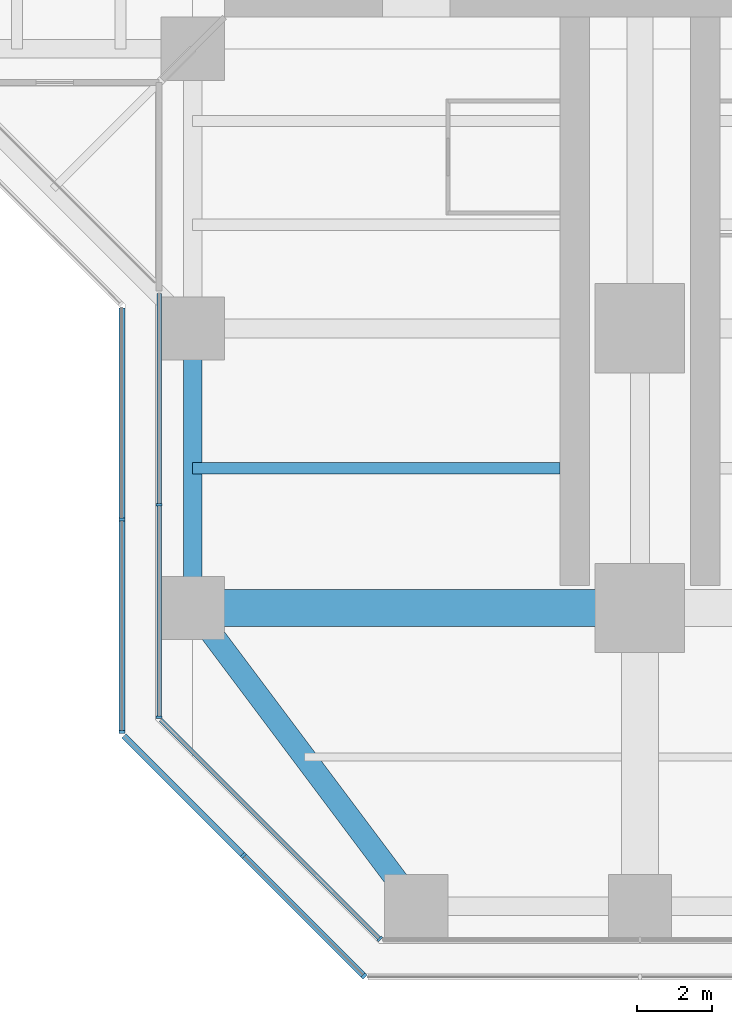
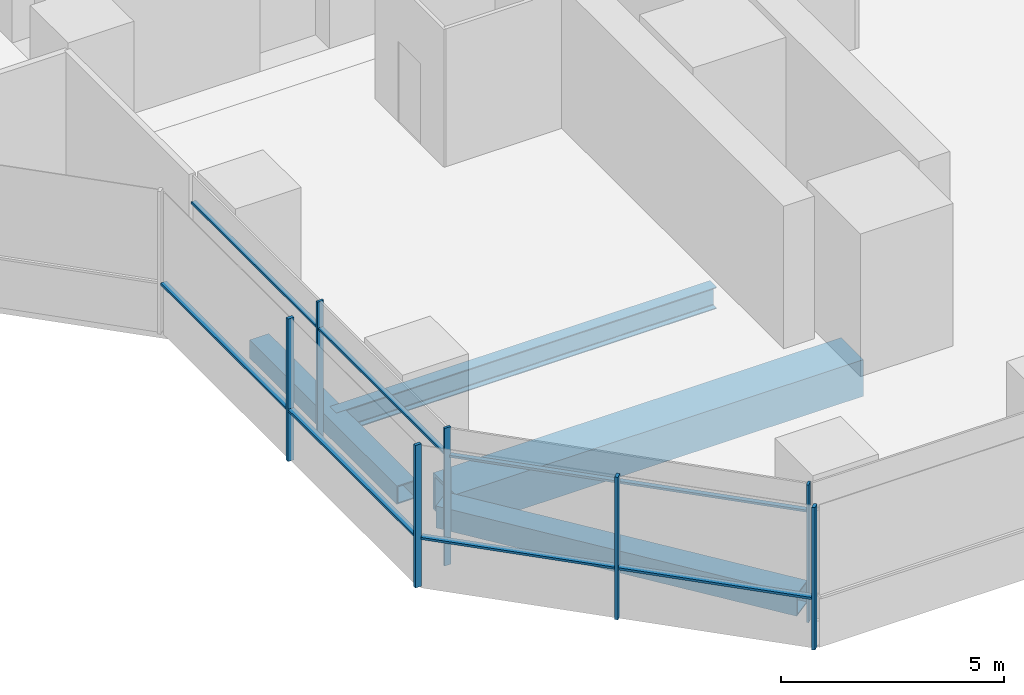
# One storey, part 2 of 22: 14 members, 4 beams, 4 elements without a shape of their own.
"""IFC4 building model written with IfcOpenShell, lengths in metres."""

import ifcopenshell
import ifcopenshell.guid

model = None  # the IFC model being written
_history = None  # IfcOwnerHistory: only IFC2X3 demands one
_inside = {}  # id of a spatial element -> (the spatial element, [elements in it])
_under = {}  # id of a project, library or spatial element -> (it, [spatial elements below it])
_declared = {}  # id of a project -> (the project, [libraries it declares])
_typed = {}  # id of a type object -> (the type object, [elements of that type])
_made_of = {}  # id of a material, layer set ... -> (it, [elements and type objects made of it])


def new_model(schema):
    """Start an empty IFC model of exactly this schema.

    Asked for "IFC4X3", IfcOpenShell would pick the latest addendum, in which some entities
    have other attributes; the version numbers below select the first issue.
    IFC2X3 requires an IfcOwnerHistory on every rooted entity: one is made here for all.
    """
    global model, _history
    if schema == "IFC4X3":
        model = ifcopenshell.file(schema_version=(4, 3, 0, 0))
    else:
        model = ifcopenshell.file(schema=schema)
    _inside.clear()
    _under.clear()
    _declared.clear()
    _typed.clear()
    _made_of.clear()
    _history = None
    if model.schema == "IFC2X3":
        org = make("IfcOrganization", Name="unknown")
        user = make(
            "IfcPersonAndOrganization",
            ThePerson=make("IfcPerson", FamilyName="unknown"),
            TheOrganization=org,
        )
        app = make(
            "IfcApplication",
            ApplicationDeveloper=org,
            Version="unknown",
            ApplicationFullName="unknown",
            ApplicationIdentifier="unknown",
        )
        _history = make(
            "IfcOwnerHistory",
            OwningUser=user,
            OwningApplication=app,
            ChangeAction="ADDED",
            CreationDate=0,
        )
    return model


def make(cls, **values):
    """One entity of the class cls with the attributes given. An attribute that is None is left unset."""
    return model.create_entity(
        cls, **{name: value for name, value in values.items() if value is not None}
    )


def rooted(cls, **values):
    """An entity with a GlobalId (a new one), such as an element, a storey or a relation."""
    return make(cls, GlobalId=ifcopenshell.guid.new(), OwnerHistory=_history, **values)


def si_unit(unit_type, name, prefix=None):
    """IfcSIUnit, for example si_unit("LENGTHUNIT", "METRE", prefix="MILLI")."""
    return make("IfcSIUnit", UnitType=unit_type, Prefix=prefix, Name=name)


def assignment(units):
    """IfcUnitAssignment: the units of a project."""
    return None if units is None else make("IfcUnitAssignment", Units=units)


def point(xyz):
    """IfcCartesianPoint."""
    return None if xyz is None else make("IfcCartesianPoint", Coordinates=xyz)


def direction(xyz):
    """IfcDirection."""
    return None if xyz is None else make("IfcDirection", DirectionRatios=xyz)


def frame(location, z_axis=None, x_axis=None):
    """IfcAxis2Placement3D, a coordinate frame: its origin and axes. An axis left out is left unset."""
    return make(
        "IfcAxis2Placement3D",
        Location=point(location),
        Axis=direction(z_axis),
        RefDirection=direction(x_axis),
    )


def frame_2d(location, x_axis=None):
    """IfcAxis2Placement2D, a coordinate frame in the plane: its origin and x axis."""
    return make(
        "IfcAxis2Placement2D", Location=point(location), RefDirection=direction(x_axis)
    )


def origin():
    """The frame at (0, 0, 0) with its axes left unset."""
    return frame((0.0, 0.0, 0.0))


def origin_2d():
    """The frame at (0, 0) in the plane with its x axis left unset."""
    return frame_2d((0.0, 0.0))


def place(relative_to, where):
    """IfcLocalPlacement: puts the frame where relative to a parent placement (None: the world)."""
    return make(
        "IfcLocalPlacement", PlacementRelTo=relative_to, RelativePlacement=where
    )


def context(
    kind, dimensions, precision=None, world=None, true_north=None, identifier=None
):
    """IfcGeometricRepresentationContext, for example the 3D "Model" context."""
    return make(
        "IfcGeometricRepresentationContext",
        ContextIdentifier=identifier,
        ContextType=kind,
        CoordinateSpaceDimension=dimensions,
        Precision=precision,
        WorldCoordinateSystem=world,
        TrueNorth=true_north,
    )


def subcontext(parent, identifier, kind, view, scale=None):
    """IfcGeometricRepresentationSubContext, for example "Body" below "Model"."""
    return make(
        "IfcGeometricRepresentationSubContext",
        ContextIdentifier=identifier,
        ContextType=kind,
        ParentContext=parent,
        TargetScale=scale,
        TargetView=view,
    )


def project(units=None, contexts=None):
    """IfcProject with its units and contexts."""
    return rooted(
        "IfcProject",
        Name="project",
        RepresentationContexts=contexts,
        UnitsInContext=assignment(units),
    )


def spatial(cls, under=None, at=None, **own):
    """A site, building, storey or space (cls), placed at a placement, below another one or the project."""
    s = rooted(cls, ObjectPlacement=at, **own)
    if under is not None:
        _under.setdefault(under.id(), (under, []))[1].append(s)
    return s


def profile(cls, at=None, kind="AREA", **sizes):
    """A parametric profile (cls). Its sizes go by their IFC names, for example OverallWidth=200.0."""
    return make(cls, ProfileType=kind, Position=at, **sizes)


def rectangle(**sizes):
    """IfcRectangleProfileDef."""
    return profile("IfcRectangleProfileDef", **sizes)


def hollow_rectangle(**sizes):
    """IfcRectangleHollowProfileDef."""
    return profile("IfcRectangleHollowProfileDef", **sizes)


def i_section(**sizes):
    """IfcIShapeProfileDef."""
    return profile("IfcIShapeProfileDef", **sizes)


def extrude(swept, where, along, depth):
    """IfcExtrudedAreaSolid: the profile swept, set in the frame where, extruded along a direction by depth."""
    return make(
        "IfcExtrudedAreaSolid",
        SweptArea=swept,
        Position=where,
        ExtrudedDirection=direction(along),
        Depth=depth,
    )


def shape(context_of_items, identifier, shape_type, items):
    """IfcShapeRepresentation: the items that make up one representation, for example the "Body"."""
    return make(
        "IfcShapeRepresentation",
        ContextOfItems=context_of_items,
        RepresentationIdentifier=identifier,
        RepresentationType=shape_type,
        Items=items,
    )


def material(Name=None, Category=None):
    """IfcMaterial."""
    return make("IfcMaterial", Name=Name, Category=Category)


def material_profile(
    of_material, cross_section, Name=None, Category=None, Priority=None
):
    """IfcMaterialProfile: a cross section and its material."""
    return make(
        "IfcMaterialProfile",
        Name=Name,
        Material=of_material,
        Profile=cross_section,
        Priority=Priority,
        Category=Category,
    )


def profile_set(profiles, Name=None, composite=None):
    """IfcMaterialProfileSet."""
    return make(
        "IfcMaterialProfileSet",
        Name=Name,
        MaterialProfiles=profiles,
        CompositeProfile=composite,
    )


def made_of(thing, what):
    """Note that an element or type object is made of a material, layer set ...; save() writes the relation."""
    if what is not None:
        _made_of.setdefault(what.id(), (what, []))[1].append(thing)
    return thing


def type_object(cls, material=None, **own):
    """A type object (cls), such as IfcWallType, which elements share."""
    return made_of(rooted(cls, **own), material)


def element(
    cls,
    number,
    at=None,
    inside=None,
    cuts=None,
    type_object=None,
    material=None,
    context=None,
    identifier="Body",
    shape_type=None,
    held_by="IfcProductDefinitionShape",
    body=None,
    shapes=None,
    **own,
):
    """One element of the class cls, such as IfcWall. Its Tag is "e" and its number.

    at: its placement. inside: the storey or other place that contains it. cuts: it is an
    opening in that element (IfcRelVoidsElement). A single representation is given by context,
    identifier, shape_type and body (its items); several are given by shapes. held_by: the class
    of the entity that holds the representations. save() writes the other relations.
    """
    e = rooted(cls, Tag="e%d" % number, ObjectPlacement=at, **own)
    if body is not None:
        shapes = [shape(context, identifier, shape_type, body)]
    if shapes is not None:
        e.Representation = make(held_by, Representations=shapes)
    if inside is not None:
        _inside.setdefault(inside.id(), (inside, []))[1].append(e)
    if cuts is not None:
        rooted(
            "IfcRelVoidsElement", RelatingBuildingElement=cuts, RelatedOpeningElement=e
        )
    if type_object is not None:
        _typed.setdefault(type_object.id(), (type_object, []))[1].append(e)
    return made_of(e, material)


def aggregate(whole, parts):
    """IfcRelAggregates: a whole, such as a stair, and the parts it consists of."""
    return rooted("IfcRelAggregates", RelatingObject=whole, RelatedObjects=parts)


def save(model, path):
    """Write the relations noted so far, then the file.

    IfcRelAggregates (storeys below a building ...), IfcRelContainedInSpatialStructure (elements
    in a storey), IfcRelDefinesByType, IfcRelAssociatesMaterial and IfcRelDeclares: one each for
    every whole, place, type object, material and project.
    """
    for whole, parts in _under.values():
        aggregate(whole, parts)
    for where, things in _inside.values():
        rooted(
            "IfcRelContainedInSpatialStructure",
            RelatedElements=things,
            RelatingStructure=where,
        )
    for kind, things in _typed.values():
        rooted("IfcRelDefinesByType", RelatedObjects=things, RelatingType=kind)
    for what, things in _made_of.values():
        rooted("IfcRelAssociatesMaterial", RelatedObjects=things, RelatingMaterial=what)
    for by, libraries in _declared.values():
        rooted("IfcRelDeclares", RelatingContext=by, RelatedDefinitions=libraries)
    model.write(path)


model = new_model("IFC4")

# Units and contexts
model_context = context("Model", 3, precision=1e-05, world=origin(), true_north=direction((0.0, 1.0)))
body_context = subcontext(model_context, "Body", "Model", "MODEL_VIEW")
ifc_project = project(units=[si_unit("LENGTHUNIT", "METRE"), si_unit("AREAUNIT", "SQUARE_METRE"), si_unit("VOLUMEUNIT", "CUBIC_METRE"), si_unit("PLANEANGLEUNIT", "RADIAN"), si_unit("MASSUNIT", "GRAM", prefix="KILO")], contexts=[model_context])

# Site, building, storey
site_placement = place(None, origin())
site = spatial("IfcSite", under=ifc_project, at=site_placement, CompositionType="ELEMENT")
building_placement = place(site_placement, origin())
building = spatial("IfcBuilding", under=site, at=building_placement, Name="Mizan Broadcast Tower", CompositionType="ELEMENT")
storey_placement = place(building_placement, frame((0.0, 0.0, 47.39990234375)))
storey = spatial("IfcBuildingStorey", under=building, at=storey_placement, Name="L08", CompositionType="ELEMENT", Elevation=47.39990234375)

# Beams
ifc_material_1 = material(Name="Steel S355", Category="steel")
ifc_material_profile_1 = material_profile(ifc_material_1, hollow_rectangle(XDim=0.5, YDim=0.5, WallThickness=0.030029296875, at=origin_2d()), Name="BOX 500x500x30")
ifc_profile_set_1 = profile_set([ifc_material_profile_1], Name="Steel S355")
beam_type_1 = type_object("IfcBeamType", Name="EDGE BEAM BOX 500x500x30", PredefinedType="SPANDREL", material=ifc_profile_set_1)
beam_1_placement = place(storey_placement, frame((-12.0, -19.949951171875, -0.3798828125), z_axis=(0.0, -1.0, 0.0), x_axis=(1.0, 0.0, 0.0)))
element("IfcBeam", 1, at=beam_1_placement, inside=storey, type_object=beam_type_1, Name="Edge beam BOX 500x500x30 L08 south arm", PredefinedType="SPANDREL", context=body_context, shape_type="SweptSolid", body=[
    extrude(hollow_rectangle(XDim=0.5, YDim=0.5, WallThickness=0.030029296875, at=origin_2d()), origin(), (0.0, 0.0, 1.0), 6.60009765625),
])
ifc_material_2 = material(Name="Steel S355", Category="steel")
ifc_material_profile_2 = material_profile(ifc_material_2, hollow_rectangle(XDim=0.60009765625, YDim=0.60009765625, WallThickness=0.030029296875, at=origin_2d()), Name="BOX 600x600x30")
ifc_profile_set_2 = profile_set([ifc_material_profile_2], Name="Steel S355")
beam_type_2 = type_object("IfcBeamType", Name="EDGE BEAM BOX 600x600x30", PredefinedType="SPANDREL", material=ifc_profile_set_2)
beam_2_placement = place(storey_placement, frame((-11.639892578125, -27.47998046875, -0.429931640625), z_axis=(0.599982243973, -0.800013316712, 0.0), x_axis=(0.800013316712, 0.599982243973, 0.0)))
element("IfcBeam", 2, at=beam_2_placement, inside=storey, type_object=beam_type_2, Name="Edge beam BOX 600x600x30 L08 south arm", PredefinedType="SPANDREL", context=body_context, shape_type="SweptSolid", body=[
    extrude(hollow_rectangle(XDim=0.60009765625, YDim=0.60009765625, WallThickness=0.030029296875, at=origin_2d()), origin(), (0.0, 0.0, 1.0), 8.7998046875),
])
ifc_material_3 = material(Name="Steel S460", Category="steel")
ifc_material_profile_3 = material_profile(ifc_material_3, hollow_rectangle(XDim=1.0, YDim=1.0, WallThickness=0.080078125, at=origin_2d()), Name="BOX 1000x1000x80")
ifc_profile_set_3 = profile_set([ifc_material_profile_3], Name="Steel S460")
beam_type_3 = type_object("IfcBeamType", Name="GIRDER BOX 1000x1000x80", PredefinedType="BEAM", material=ifc_profile_set_3)
beam_3_placement = place(storey_placement, frame((-11.280029296875, -27.0, -0.6298828125), z_axis=(1.0, 0.0, 0.0), x_axis=(0.0, 1.0, 0.0)))
element("IfcBeam", 3, at=beam_3_placement, inside=storey, type_object=beam_type_3, Name="Girder BOX 1000x1000x80 L08 south arm", PredefinedType="BEAM", context=body_context, shape_type="SweptSolid", body=[
    extrude(hollow_rectangle(XDim=1.0, YDim=1.0, WallThickness=0.080078125, at=origin_2d()), origin(), (0.0, 0.0, 1.0), 10.56005859375),
])

# Curtain wall, members
ifc_material_4 = material(Name="Aluminium framed glazing", Category="aluminium")
curtain_wall_type_1 = type_object("IfcCurtainWallType", Name="INNER SKIN LOW ZONE", PredefinedType="USERDEFINED", material=ifc_material_4)
curtain_wall_1_placement = place(storey_placement, origin())
curtain_wall_1 = element("IfcCurtainWall", 4, at=curtain_wall_1_placement, inside=storey, type_object=curtain_wall_type_1, Name="Inner skin low zone L08 S side", ObjectType="INNER SKIN LOW ZONE", PredefinedType="USERDEFINED")
ifc_material_5 = material(Name="Aluminium, pale anodised", Category="aluminium")
ifc_material_profile_4 = material_profile(ifc_material_5, rectangle(XDim=0.159912109375, YDim=0.06005859375, at=origin_2d()), Name="MULLION 160x60")
ifc_profile_set_4 = profile_set([ifc_material_profile_4], Name="Aluminium, pale anodised")
member_type_1 = type_object("IfcMemberType", Name="INNER SKIN MULLION 60x160", PredefinedType="MULLION", material=ifc_profile_set_4)
member_1_placement = place(storey_placement, frame((-12.89990234375, -24.229248046875, 0.0), z_axis=(0.0, 0.0, 1.0), x_axis=(1.0, 0.0, 0.0)))
member_1 = element("IfcMember", 5, at=member_1_placement, type_object=member_type_1, Name="Inner skin low zone L08 S side mullion 2", PredefinedType="MULLION", context=body_context, shape_type="SweptSolid", body=[
    extrude(rectangle(XDim=0.159912109375, YDim=0.06005859375, at=origin_2d()), origin(), (0.0, 0.0, 1.0), 3.77001953125),
])
member_2_placement = place(storey_placement, frame((-12.89990234375, -29.928466796875, 0.0), z_axis=(0.0, 0.0, 1.0), x_axis=(1.0, 0.0, 0.0)))
member_2 = element("IfcMember", 6, at=member_2_placement, type_object=member_type_1, Name="Inner skin low zone L08 S side mullion 3", PredefinedType="MULLION", context=body_context, shape_type="SweptSolid", body=[
    extrude(rectangle(XDim=0.159912109375, YDim=0.06005859375, at=origin_2d()), origin(), (0.0, 0.0, 1.0), 3.77001953125),
])

# Curtain wall, member
curtain_wall_2_placement = place(storey_placement, origin())
curtain_wall_2 = element("IfcCurtainWall", 7, at=curtain_wall_2_placement, inside=storey, type_object=curtain_wall_type_1, Name="Inner skin low zone L08 S chamfer", ObjectType="INNER SKIN LOW ZONE", PredefinedType="USERDEFINED")
member_3_placement = place(storey_placement, frame((-6.979736328125, -35.87890625, 0.0), z_axis=(0.0, 0.0, 1.0), x_axis=(0.707106781187, 0.707106781187, 0.0)))
member_3 = element("IfcMember", 8, at=member_3_placement, type_object=member_type_1, Name="Inner skin low zone L08 S chamfer mullion 2", PredefinedType="MULLION", context=body_context, shape_type="SweptSolid", body=[
    extrude(rectangle(XDim=0.159912109375, YDim=0.06005859375, at=origin_2d()), origin(), (0.0, 0.0, 1.0), 3.77001953125),
])

# Member
ifc_material_6 = material(Name="Aluminium, pale anodised", Category="aluminium")
ifc_material_profile_5 = material_profile(ifc_material_6, rectangle(XDim=0.1201171875, YDim=0.06005859375, at=origin_2d()), Name="TRANSOM 120x60")
ifc_profile_set_5 = profile_set([ifc_material_profile_5], Name="Aluminium, pale anodised")
member_type_2 = type_object("IfcMemberType", Name="INNER SKIN TRANSOM 60x120", PredefinedType="USERDEFINED", material=ifc_profile_set_5)
member_4_placement = place(storey_placement, frame((-12.89990234375, -18.56005859375, 3.030029296875), z_axis=(0.0, -1.0, 0.0), x_axis=(1.0, 0.0, 0.0)))
member_4 = element("IfcMember", 9, at=member_4_placement, type_object=member_type_2, Name="Inner skin low zone L08 S side transom 1.1", ObjectType="TRANSOM", PredefinedType="USERDEFINED", context=body_context, shape_type="SweptSolid", body=[
    extrude(rectangle(XDim=0.1201171875, YDim=0.06005859375, at=origin_2d()), origin(), (0.0, 0.0, 1.0), 5.63916015625),
])

member_5_placement = place(storey_placement, frame((-12.89990234375, -24.25927734375, 3.030029296875), z_axis=(0.0, -1.0, 0.0), x_axis=(1.0, 0.0, 0.0)))
member_5 = element("IfcMember", 10, at=member_5_placement, type_object=member_type_2, Name="Inner skin low zone L08 S side transom 2.1", ObjectType="TRANSOM", PredefinedType="USERDEFINED", context=body_context, shape_type="SweptSolid", body=[
    extrude(rectangle(XDim=0.1201171875, YDim=0.06005859375, at=origin_2d()), origin(), (0.0, 0.0, 1.0), 5.639404296875),
])

aggregate(curtain_wall_1, [member_1, member_2, member_4, member_5])

member_6_placement = place(storey_placement, frame((-12.857666015625, -30.0009765625, 3.030029296875), z_axis=(0.707106781187, -0.707106781187, 0.0), x_axis=(0.707106781187, 0.707106781187, 0.0)))
member_6 = element("IfcMember", 11, at=member_6_placement, type_object=member_type_2, Name="Inner skin low zone L08 S chamfer transom 1.1", ObjectType="TRANSOM", PredefinedType="USERDEFINED", context=body_context, shape_type="SweptSolid", body=[
    extrude(rectangle(XDim=0.1201171875, YDim=0.06005859375, at=origin_2d()), origin(), (0.0, 0.0, 1.0), 8.28271484375),
])

aggregate(curtain_wall_2, [member_3, member_6])

# Curtain wall, members
ifc_material_7 = material(Name="Aluminium framed glazing", Category="aluminium")
curtain_wall_type_2 = type_object("IfcCurtainWallType", Name="OUTER SKIN", PredefinedType="USERDEFINED", material=ifc_material_7)
curtain_wall_3_placement = place(storey_placement, origin())
curtain_wall_3 = element("IfcCurtainWall", 12, at=curtain_wall_3_placement, inside=storey, type_object=curtain_wall_type_2, Name="Outer skin L08 S side", ObjectType="OUTER SKIN", PredefinedType="USERDEFINED")
ifc_material_8 = material(Name="Aluminium, pale anodised", Category="aluminium")
ifc_material_profile_6 = material_profile(ifc_material_8, rectangle(XDim=0.159912109375, YDim=0.080078125, at=origin_2d()), Name="MULLION 160x80")
ifc_profile_set_6 = profile_set([ifc_material_profile_6], Name="Aluminium, pale anodised")
member_type_3 = type_object("IfcMemberType", Name="OUTER SKIN MULLION 80x160", PredefinedType="MULLION", material=ifc_profile_set_6)
member_7_placement = place(storey_placement, frame((-13.89990234375, -24.622802734375, 0.0), z_axis=(0.0, 0.0, 1.0), x_axis=(1.0, 0.0, 0.0)))
member_7 = element("IfcMember", 13, at=member_7_placement, type_object=member_type_3, Name="Outer skin L08 S side mullion 2", PredefinedType="MULLION", context=body_context, shape_type="SweptSolid", body=[
    extrude(rectangle(XDim=0.159912109375, YDim=0.080078125, at=origin_2d()), origin(), (0.0, 0.0, 1.0), 3.900146484375),
])
member_8_placement = place(storey_placement, frame((-13.89990234375, -30.332763671875, 0.0), z_axis=(0.0, 0.0, 1.0), x_axis=(1.0, 0.0, 0.0)))
member_8 = element("IfcMember", 14, at=member_8_placement, type_object=member_type_3, Name="Outer skin L08 S side mullion 3", PredefinedType="MULLION", context=body_context, shape_type="SweptSolid", body=[
    extrude(rectangle(XDim=0.159912109375, YDim=0.080078125, at=origin_2d()), origin(), (0.0, 0.0, 1.0), 3.900146484375),
])

curtain_wall_4_placement = place(storey_placement, origin())
curtain_wall_4 = element("IfcCurtainWall", 15, at=curtain_wall_4_placement, inside=storey, type_object=curtain_wall_type_2, Name="Outer skin L08 S chamfer", ObjectType="OUTER SKIN", PredefinedType="USERDEFINED")
member_9_placement = place(storey_placement, frame((-10.636474609375, -33.636474609375, 0.0), z_axis=(0.0, 0.0, 1.0), x_axis=(0.707106781187, 0.707106781187, 0.0)))
member_9 = element("IfcMember", 16, at=member_9_placement, type_object=member_type_3, Name="Outer skin L08 S chamfer mullion 2", PredefinedType="MULLION", context=body_context, shape_type="SweptSolid", body=[
    extrude(rectangle(XDim=0.159912109375, YDim=0.080078125, at=origin_2d()), origin(), (0.0, 0.0, 1.0), 3.900146484375),
])
member_10_placement = place(storey_placement, frame((-7.401123046875, -36.871826171875, 0.0), z_axis=(0.0, 0.0, 1.0), x_axis=(0.707106781187, 0.707106781187, 0.0)))
member_10 = element("IfcMember", 17, at=member_10_placement, type_object=member_type_3, Name="Outer skin L08 S chamfer mullion 3", PredefinedType="MULLION", context=body_context, shape_type="SweptSolid", body=[
    extrude(rectangle(XDim=0.159912109375, YDim=0.080078125, at=origin_2d()), origin(), (0.0, 0.0, 1.0), 3.900146484375),
])

# Member
ifc_material_9 = material(Name="Aluminium, pale anodised", Category="aluminium")
ifc_material_profile_7 = material_profile(ifc_material_9, rectangle(XDim=0.159912109375, YDim=0.06005859375, at=origin_2d()), Name="TRANSOM 160x60")
ifc_profile_set_7 = profile_set([ifc_material_profile_7], Name="Aluminium, pale anodised")
member_type_4 = type_object("IfcMemberType", Name="OUTER SKIN TRANSOM 60x160", PredefinedType="USERDEFINED", material=ifc_profile_set_7)
member_11_placement = place(storey_placement, frame((-13.89990234375, -18.952880859375, 1.400146484375), z_axis=(0.0, -1.0, 0.0), x_axis=(1.0, 0.0, 0.0)))
member_11 = element("IfcMember", 18, at=member_11_placement, type_object=member_type_4, Name="Outer skin L08 S side transom 1.1", ObjectType="TRANSOM", PredefinedType="USERDEFINED", context=body_context, shape_type="SweptSolid", body=[
    extrude(rectangle(XDim=0.159912109375, YDim=0.06005859375, at=origin_2d()), origin(), (0.0, 0.0, 1.0), 5.6298828125),
])

member_12_placement = place(storey_placement, frame((-13.89990234375, -24.662841796875, 1.400146484375), z_axis=(0.0, -1.0, 0.0), x_axis=(1.0, 0.0, 0.0)))
member_12 = element("IfcMember", 19, at=member_12_placement, type_object=member_type_4, Name="Outer skin L08 S side transom 2.1", ObjectType="TRANSOM", PredefinedType="USERDEFINED", context=body_context, shape_type="SweptSolid", body=[
    extrude(rectangle(XDim=0.159912109375, YDim=0.06005859375, at=origin_2d()), origin(), (0.0, 0.0, 1.0), 5.6298828125),
])

aggregate(curtain_wall_3, [member_7, member_8, member_11, member_12])

member_13_placement = place(storey_placement, frame((-13.843505859375, -30.429443359375, 1.400146484375), z_axis=(0.707106781187, -0.707106781187, 0.0), x_axis=(0.707106781187, 0.707106781187, 0.0)))
member_13 = element("IfcMember", 20, at=member_13_placement, type_object=member_type_4, Name="Outer skin L08 S chamfer transom 1.1", ObjectType="TRANSOM", PredefinedType="USERDEFINED", context=body_context, shape_type="SweptSolid", body=[
    extrude(rectangle(XDim=0.159912109375, YDim=0.06005859375, at=origin_2d()), origin(), (0.0, 0.0, 1.0), 4.495361328125),
])

member_14_placement = place(storey_placement, frame((-10.608154296875, -33.664794921875, 1.400146484375), z_axis=(0.707106781187, -0.707106781187, 0.0), x_axis=(0.707106781187, 0.707106781187, 0.0)))
member_14 = element("IfcMember", 21, at=member_14_placement, type_object=member_type_4, Name="Outer skin L08 S chamfer transom 2.1", ObjectType="TRANSOM", PredefinedType="USERDEFINED", context=body_context, shape_type="SweptSolid", body=[
    extrude(rectangle(XDim=0.159912109375, YDim=0.06005859375, at=origin_2d()), origin(), (0.0, 0.0, 1.0), 4.495361328125),
])

aggregate(curtain_wall_4, [member_9, member_10, member_13, member_14])

# Beam
ifc_material_10 = material(Name="Steel S355", Category="steel")
ifc_material_profile_8 = material_profile(ifc_material_10, i_section(OverallWidth=0.300048828125, OverallDepth=0.590087890625, WebThickness=0.012939453125, FlangeThickness=0.02490234375, FilletRadius=0.027099609375, at=origin_2d()), Name="HEA 600")
ifc_profile_set_8 = profile_set([ifc_material_profile_8], Name="Steel S355")
beam_type_4 = type_object("IfcBeamType", Name="SECONDARY BEAM HEA 600", PredefinedType="JOIST", material=ifc_profile_set_8)
beam_4_placement = place(storey_placement, frame((-12.0, -23.25, -0.4248046875), z_axis=(1.0, 0.0, 0.0), x_axis=(0.0, 1.0, 0.0)))
element("IfcBeam", 22, at=beam_4_placement, inside=storey, type_object=beam_type_4, Name="Secondary beam HEA 600 L08 south arm", PredefinedType="JOIST", context=body_context, shape_type="SweptSolid", body=[
    extrude(i_section(OverallWidth=0.300048828125, OverallDepth=0.590087890625, WebThickness=0.012939453125, FlangeThickness=0.02490234375, FilletRadius=0.027099609375, at=origin_2d()), origin(), (0.0, 0.0, 1.0), 9.85009765625),
])

save(model, "model.ifc")
